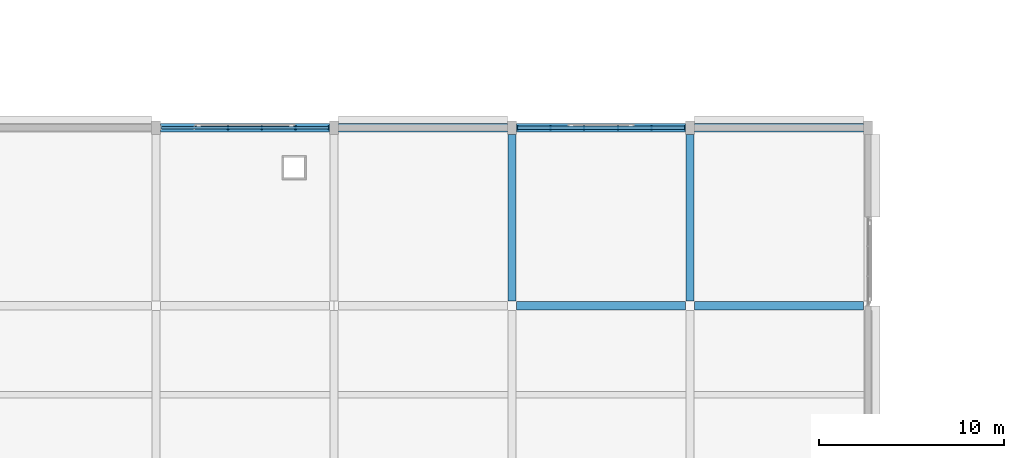
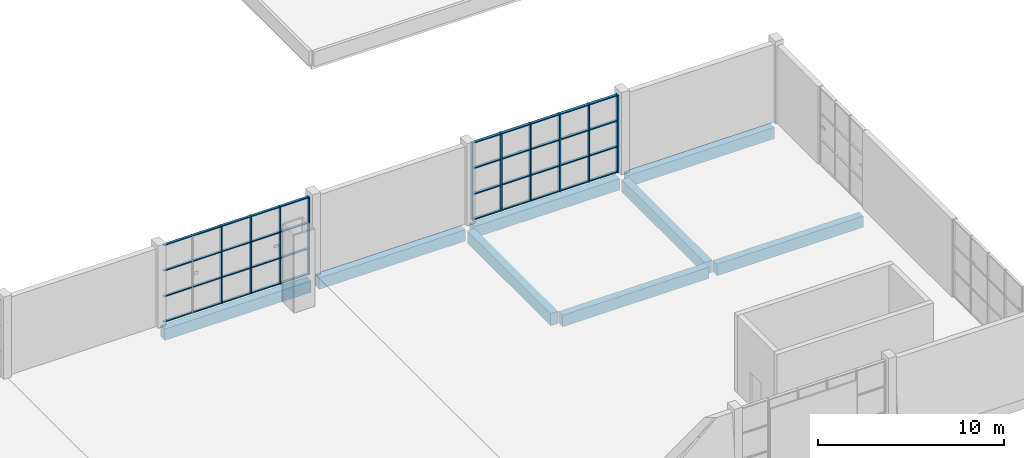
# One storey, part 8 of 72: 18 members, 8 beams, 2 elements without a shape of their own.
"""IFC4 building model written with IfcOpenShell, lengths in metres."""

import ifcopenshell
import ifcopenshell.guid

model = None  # the IFC model being written
_history = None  # IfcOwnerHistory: only IFC2X3 demands one
_inside = {}  # id of a spatial element -> (the spatial element, [elements in it])
_under = {}  # id of a project, library or spatial element -> (it, [spatial elements below it])
_declared = {}  # id of a project -> (the project, [libraries it declares])
_typed = {}  # id of a type object -> (the type object, [elements of that type])
_made_of = {}  # id of a material, layer set ... -> (it, [elements and type objects made of it])


def new_model(schema):
    """Start an empty IFC model of exactly this schema.

    Asked for "IFC4X3", IfcOpenShell would pick the latest addendum, in which some entities
    have other attributes; the version numbers below select the first issue.
    IFC2X3 requires an IfcOwnerHistory on every rooted entity: one is made here for all.
    """
    global model, _history
    if schema == "IFC4X3":
        model = ifcopenshell.file(schema_version=(4, 3, 0, 0))
    else:
        model = ifcopenshell.file(schema=schema)
    _inside.clear()
    _under.clear()
    _declared.clear()
    _typed.clear()
    _made_of.clear()
    _history = None
    if model.schema == "IFC2X3":
        org = make("IfcOrganization", Name="unknown")
        user = make(
            "IfcPersonAndOrganization",
            ThePerson=make("IfcPerson", FamilyName="unknown"),
            TheOrganization=org,
        )
        app = make(
            "IfcApplication",
            ApplicationDeveloper=org,
            Version="unknown",
            ApplicationFullName="unknown",
            ApplicationIdentifier="unknown",
        )
        _history = make(
            "IfcOwnerHistory",
            OwningUser=user,
            OwningApplication=app,
            ChangeAction="ADDED",
            CreationDate=0,
        )
    return model


def make(cls, **values):
    """One entity of the class cls with the attributes given. An attribute that is None is left unset."""
    return model.create_entity(
        cls, **{name: value for name, value in values.items() if value is not None}
    )


def rooted(cls, **values):
    """An entity with a GlobalId (a new one), such as an element, a storey or a relation."""
    return make(cls, GlobalId=ifcopenshell.guid.new(), OwnerHistory=_history, **values)


def si_unit(unit_type, name, prefix=None):
    """IfcSIUnit, for example si_unit("LENGTHUNIT", "METRE", prefix="MILLI")."""
    return make("IfcSIUnit", UnitType=unit_type, Prefix=prefix, Name=name)


def assignment(units):
    """IfcUnitAssignment: the units of a project."""
    return None if units is None else make("IfcUnitAssignment", Units=units)


def point(xyz):
    """IfcCartesianPoint."""
    return None if xyz is None else make("IfcCartesianPoint", Coordinates=xyz)


def direction(xyz):
    """IfcDirection."""
    return None if xyz is None else make("IfcDirection", DirectionRatios=xyz)


def frame(location, z_axis=None, x_axis=None):
    """IfcAxis2Placement3D, a coordinate frame: its origin and axes. An axis left out is left unset."""
    return make(
        "IfcAxis2Placement3D",
        Location=point(location),
        Axis=direction(z_axis),
        RefDirection=direction(x_axis),
    )


def frame_2d(location, x_axis=None):
    """IfcAxis2Placement2D, a coordinate frame in the plane: its origin and x axis."""
    return make(
        "IfcAxis2Placement2D", Location=point(location), RefDirection=direction(x_axis)
    )


def origin():
    """The frame at (0, 0, 0) with its axes left unset."""
    return frame((0.0, 0.0, 0.0))


def origin_2d():
    """The frame at (0, 0) in the plane with its x axis left unset."""
    return frame_2d((0.0, 0.0))


def place(relative_to, where):
    """IfcLocalPlacement: puts the frame where relative to a parent placement (None: the world)."""
    return make(
        "IfcLocalPlacement", PlacementRelTo=relative_to, RelativePlacement=where
    )


def context(
    kind, dimensions, precision=None, world=None, true_north=None, identifier=None
):
    """IfcGeometricRepresentationContext, for example the 3D "Model" context."""
    return make(
        "IfcGeometricRepresentationContext",
        ContextIdentifier=identifier,
        ContextType=kind,
        CoordinateSpaceDimension=dimensions,
        Precision=precision,
        WorldCoordinateSystem=world,
        TrueNorth=true_north,
    )


def subcontext(parent, identifier, kind, view, scale=None):
    """IfcGeometricRepresentationSubContext, for example "Body" below "Model"."""
    return make(
        "IfcGeometricRepresentationSubContext",
        ContextIdentifier=identifier,
        ContextType=kind,
        ParentContext=parent,
        TargetScale=scale,
        TargetView=view,
    )


def project(units=None, contexts=None):
    """IfcProject with its units and contexts."""
    return rooted(
        "IfcProject",
        Name="project",
        RepresentationContexts=contexts,
        UnitsInContext=assignment(units),
    )


def spatial(cls, under=None, at=None, **own):
    """A site, building, storey or space (cls), placed at a placement, below another one or the project."""
    s = rooted(cls, ObjectPlacement=at, **own)
    if under is not None:
        _under.setdefault(under.id(), (under, []))[1].append(s)
    return s


def profile(cls, at=None, kind="AREA", **sizes):
    """A parametric profile (cls). Its sizes go by their IFC names, for example OverallWidth=200.0."""
    return make(cls, ProfileType=kind, Position=at, **sizes)


def rectangle(**sizes):
    """IfcRectangleProfileDef."""
    return profile("IfcRectangleProfileDef", **sizes)


def extrude(swept, where, along, depth):
    """IfcExtrudedAreaSolid: the profile swept, set in the frame where, extruded along a direction by depth."""
    return make(
        "IfcExtrudedAreaSolid",
        SweptArea=swept,
        Position=where,
        ExtrudedDirection=direction(along),
        Depth=depth,
    )


def shape(context_of_items, identifier, shape_type, items):
    """IfcShapeRepresentation: the items that make up one representation, for example the "Body"."""
    return make(
        "IfcShapeRepresentation",
        ContextOfItems=context_of_items,
        RepresentationIdentifier=identifier,
        RepresentationType=shape_type,
        Items=items,
    )


def material(Name=None, Category=None):
    """IfcMaterial."""
    return make("IfcMaterial", Name=Name, Category=Category)


def material_profile(
    of_material, cross_section, Name=None, Category=None, Priority=None
):
    """IfcMaterialProfile: a cross section and its material."""
    return make(
        "IfcMaterialProfile",
        Name=Name,
        Material=of_material,
        Profile=cross_section,
        Priority=Priority,
        Category=Category,
    )


def profile_set(profiles, Name=None, composite=None):
    """IfcMaterialProfileSet."""
    return make(
        "IfcMaterialProfileSet",
        Name=Name,
        MaterialProfiles=profiles,
        CompositeProfile=composite,
    )


def made_of(thing, what):
    """Note that an element or type object is made of a material, layer set ...; save() writes the relation."""
    if what is not None:
        _made_of.setdefault(what.id(), (what, []))[1].append(thing)
    return thing


def type_object(cls, material=None, **own):
    """A type object (cls), such as IfcWallType, which elements share."""
    return made_of(rooted(cls, **own), material)


def element(
    cls,
    number,
    at=None,
    inside=None,
    cuts=None,
    type_object=None,
    material=None,
    context=None,
    identifier="Body",
    shape_type=None,
    held_by="IfcProductDefinitionShape",
    body=None,
    shapes=None,
    **own,
):
    """One element of the class cls, such as IfcWall. Its Tag is "e" and its number.

    at: its placement. inside: the storey or other place that contains it. cuts: it is an
    opening in that element (IfcRelVoidsElement). A single representation is given by context,
    identifier, shape_type and body (its items); several are given by shapes. held_by: the class
    of the entity that holds the representations. save() writes the other relations.
    """
    e = rooted(cls, Tag="e%d" % number, ObjectPlacement=at, **own)
    if body is not None:
        shapes = [shape(context, identifier, shape_type, body)]
    if shapes is not None:
        e.Representation = make(held_by, Representations=shapes)
    if inside is not None:
        _inside.setdefault(inside.id(), (inside, []))[1].append(e)
    if cuts is not None:
        rooted(
            "IfcRelVoidsElement", RelatingBuildingElement=cuts, RelatedOpeningElement=e
        )
    if type_object is not None:
        _typed.setdefault(type_object.id(), (type_object, []))[1].append(e)
    return made_of(e, material)


def aggregate(whole, parts):
    """IfcRelAggregates: a whole, such as a stair, and the parts it consists of."""
    return rooted("IfcRelAggregates", RelatingObject=whole, RelatedObjects=parts)


def save(model, path):
    """Write the relations noted so far, then the file.

    IfcRelAggregates (storeys below a building ...), IfcRelContainedInSpatialStructure (elements
    in a storey), IfcRelDefinesByType, IfcRelAssociatesMaterial and IfcRelDeclares: one each for
    every whole, place, type object, material and project.
    """
    for whole, parts in _under.values():
        aggregate(whole, parts)
    for where, things in _inside.values():
        rooted(
            "IfcRelContainedInSpatialStructure",
            RelatedElements=things,
            RelatingStructure=where,
        )
    for kind, things in _typed.values():
        rooted("IfcRelDefinesByType", RelatedObjects=things, RelatingType=kind)
    for what, things in _made_of.values():
        rooted("IfcRelAssociatesMaterial", RelatedObjects=things, RelatingMaterial=what)
    for by, libraries in _declared.values():
        rooted("IfcRelDeclares", RelatingContext=by, RelatedDefinitions=libraries)
    model.write(path)


model = new_model("IFC4")

# Units and contexts
model_context = context("Model", 3, precision=1e-05, world=origin(), true_north=direction((0.0, 1.0)))
body_context = subcontext(model_context, "Body", "Model", "MODEL_VIEW")
ifc_project = project(units=[si_unit("LENGTHUNIT", "METRE"), si_unit("AREAUNIT", "SQUARE_METRE"), si_unit("VOLUMEUNIT", "CUBIC_METRE"), si_unit("PLANEANGLEUNIT", "RADIAN"), si_unit("MASSUNIT", "GRAM", prefix="KILO")], contexts=[model_context])

# Site, building, storey
site_placement = place(None, origin())
site = spatial("IfcSite", under=ifc_project, at=site_placement, CompositionType="ELEMENT")
building_placement = place(site_placement, origin())
building = spatial("IfcBuilding", under=site, at=building_placement, Name="Shalvenor Court Art Gallery", CompositionType="ELEMENT")
storey_placement = place(building_placement, frame((0.0, 0.0, 11.39990234375)))
storey = spatial("IfcBuildingStorey", under=building, at=storey_placement, Name="L02", CompositionType="ELEMENT", Elevation=11.39990234375)

# Beams
ifc_material_1 = material(Name="Concrete C40/50", Category="concrete")
ifc_material_profile_1 = material_profile(ifc_material_1, rectangle(XDim=0.449951171875, YDim=0.800048828125, at=origin_2d()), Name="RC 450x800")
ifc_profile_set_1 = profile_set([ifc_material_profile_1], Name="Concrete C40/50")
beam_type_1 = type_object("IfcBeamType", Name="B-03", PredefinedType="BEAM", material=ifc_profile_set_1)
for number, where, z_axis, x_axis, name in (
    (1, (48.0, 19.449951171875, -0.719970703125), (0.0, 1.0, 0.0), (-1.0, 0.0, 0.0), "L02 Girder BM-L02-B-03-0725"),
    (2, (57.60009765625, 19.449951171875, -0.719970703125), (0.0, 1.0, 0.0), (-1.0, 0.0, 0.0), "L02 Girder BM-L02-B-03-0727"),
):
    element("IfcBeam", number, at=place(storey_placement, frame(where, z_axis=z_axis, x_axis=x_axis)), inside=storey, type_object=beam_type_1, Name=name, PredefinedType="BEAM", context=body_context, shape_type="SweptSolid", body=[
        extrude(rectangle(XDim=0.449951171875, YDim=0.800048828125, at=origin_2d()), origin(), (0.0, 0.0, 1.0), 8.97509765625),
    ])
ifc_material_2 = material(Name="Concrete C40/50", Category="concrete")
ifc_material_profile_2 = material_profile(ifc_material_2, rectangle(XDim=0.449951171875, YDim=0.75, at=origin_2d()), Name="RC 450x750")
ifc_profile_set_2 = profile_set([ifc_material_profile_2], Name="Concrete C40/50")
beam_type_2 = type_object("IfcBeamType", Name="B-04", PredefinedType="BEAM", material=ifc_profile_set_2)
beam_1_placement = place(storey_placement, frame((48.25, 19.199951171875, -0.69482421875), z_axis=(1.0, 0.0, 0.0), x_axis=(0.0, 1.0, 0.0)))
element("IfcBeam", 3, at=beam_1_placement, inside=storey, type_object=beam_type_2, Name="L02 Girder BM-L02-B-04-0820", PredefinedType="BEAM", context=body_context, shape_type="SweptSolid", body=[
    extrude(rectangle(XDim=0.449951171875, YDim=0.75, at=origin_2d()), origin(), (0.0, 0.0, 1.0), 9.10009765625),
])
for number, where, z_axis, x_axis, name in (
    (4, (57.85009765625, 19.199951171875, -0.69482421875), (1.0, 0.0, 0.0), (0.0, 1.0, 0.0), "L02 Girder BM-L02-B-04-0821"),
    (5, (29.050048828125, 28.800048828125, -0.69482421875), (1.0, 0.0, 0.0), (0.0, 1.0, 0.0), "L02 Girder BM-L02-B-04-0831"),
):
    element("IfcBeam", number, at=place(storey_placement, frame(where, z_axis=z_axis, x_axis=x_axis)), inside=storey, type_object=beam_type_2, Name=name, PredefinedType="BEAM", context=body_context, shape_type="SweptSolid", body=[
        extrude(rectangle(XDim=0.449951171875, YDim=0.75, at=origin_2d()), origin(), (0.0, 0.0, 1.0), 9.099853515625),
    ])
for number, where, z_axis, x_axis, name in (
    (6, (38.64990234375, 28.800048828125, -0.69482421875), (1.0, 0.0, 0.0), (0.0, 1.0, 0.0), "L02 Girder BM-L02-B-04-0832"),
    (7, (48.25, 28.800048828125, -0.69482421875), (1.0, 0.0, 0.0), (0.0, 1.0, 0.0), "L02 Girder BM-L02-B-04-0833"),
):
    element("IfcBeam", number, at=place(storey_placement, frame(where, z_axis=z_axis, x_axis=x_axis)), inside=storey, type_object=beam_type_2, Name=name, PredefinedType="BEAM", context=body_context, shape_type="SweptSolid", body=[
        extrude(rectangle(XDim=0.449951171875, YDim=0.75, at=origin_2d()), origin(), (0.0, 0.0, 1.0), 9.10009765625),
    ])
beam_2_placement = place(storey_placement, frame((57.85009765625, 28.800048828125, -0.69482421875), z_axis=(1.0, 0.0, 0.0), x_axis=(0.0, 1.0, 0.0)))
element("IfcBeam", 8, at=beam_2_placement, inside=storey, type_object=beam_type_2, Name="L02 Girder BM-L02-B-04-0834", PredefinedType="BEAM", context=body_context, shape_type="SweptSolid", body=[
    extrude(rectangle(XDim=0.449951171875, YDim=0.75, at=origin_2d()), origin(), (0.0, 0.0, 1.0), 9.099853515625),
])

# Curtain wall, members
ifc_material_3 = material(Name="Anodised aluminium and low-iron glass curtain wall", Category="aluminium")
curtain_wall_type_1 = type_object("IfcCurtainWallType", Name="CW-5x3-91-51-211", PredefinedType="USERDEFINED", material=ifc_material_3)
curtain_wall_1_placement = place(storey_placement, origin())
curtain_wall_1 = element("IfcCurtainWall", 9, at=curtain_wall_1_placement, inside=storey, type_object=curtain_wall_type_1, Name="L02 V4 Curtain Wall CW-L02-141", ObjectType="CURTAIN WALL", PredefinedType="USERDEFINED")
ifc_material_4 = material(Name="Anodised aluminium mullion", Category="aluminium")
ifc_material_profile_3 = material_profile(ifc_material_4, rectangle(XDim=0.070068359375, YDim=0.199951171875, at=origin_2d()), Name="CWM-02")
ifc_profile_set_3 = profile_set([ifc_material_profile_3], Name="Anodised aluminium mullion")
member_type_1 = type_object("IfcMemberType", Name="CWM-02", PredefinedType="MULLION", material=ifc_profile_set_3)
member_1_placement = place(storey_placement, frame((32.68994140625, 28.800048828125, 0.0), z_axis=(0.0, 0.0, 1.0), x_axis=(1.0, 0.0, 0.0)))
member_1 = element("IfcMember", 10, at=member_1_placement, type_object=member_type_1, Name="CW-5x3-91-51-211 mullion 3", PredefinedType="MULLION", context=body_context, shape_type="SweptSolid", body=[
    extrude(rectangle(XDim=0.070068359375, YDim=0.199951171875, at=origin_2d()), origin(), (0.0, 0.0, 1.0), 5.10009765625),
])
member_2_placement = place(storey_placement, frame((34.510009765625, 28.800048828125, 0.0), z_axis=(0.0, 0.0, 1.0), x_axis=(1.0, 0.0, 0.0)))
member_2 = element("IfcMember", 11, at=member_2_placement, type_object=member_type_1, Name="CW-5x3-91-51-211 mullion 4", PredefinedType="MULLION", context=body_context, shape_type="SweptSolid", body=[
    extrude(rectangle(XDim=0.070068359375, YDim=0.199951171875, at=origin_2d()), origin(), (0.0, 0.0, 1.0), 5.10009765625),
])
member_3_placement = place(storey_placement, frame((36.330078125, 28.800048828125, 0.0), z_axis=(0.0, 0.0, 1.0), x_axis=(1.0, 0.0, 0.0)))
member_3 = element("IfcMember", 12, at=member_3_placement, type_object=member_type_1, Name="CW-5x3-91-51-211 mullion 5", PredefinedType="MULLION", context=body_context, shape_type="SweptSolid", body=[
    extrude(rectangle(XDim=0.070068359375, YDim=0.199951171875, at=origin_2d()), origin(), (0.0, 0.0, 1.0), 5.10009765625),
])
member_4_placement = place(storey_placement, frame((38.114990234375, 28.800048828125, 0.0), z_axis=(0.0, 0.0, 1.0), x_axis=(1.0, 0.0, 0.0)))
member_4 = element("IfcMember", 13, at=member_4_placement, type_object=member_type_1, Name="CW-5x3-91-51-211 mullion 6", PredefinedType="MULLION", context=body_context, shape_type="SweptSolid", body=[
    extrude(rectangle(XDim=0.070068359375, YDim=0.199951171875, at=origin_2d()), origin(), (0.0, 0.0, 1.0), 5.10009765625),
])

ifc_material_5 = material(Name="Anodised aluminium and low-iron glass curtain wall", Category="aluminium")
curtain_wall_type_2 = type_object("IfcCurtainWallType", Name="CW-5x3-91-51-421", PredefinedType="USERDEFINED", material=ifc_material_5)
curtain_wall_2_placement = place(storey_placement, origin())
curtain_wall_2 = element("IfcCurtainWall", 14, at=curtain_wall_2_placement, inside=storey, type_object=curtain_wall_type_2, Name="L02 V4 Curtain Wall CW-L02-142", ObjectType="CURTAIN WALL", PredefinedType="USERDEFINED")
ifc_material_6 = material(Name="Anodised aluminium mullion", Category="aluminium")
ifc_material_profile_4 = material_profile(ifc_material_6, rectangle(XDim=0.074951171875, YDim=0.219970703125, at=origin_2d()), Name="CWM-04")
ifc_profile_set_4 = profile_set([ifc_material_profile_4], Name="Anodised aluminium mullion")
member_type_2 = type_object("IfcMemberType", Name="CWM-04", PredefinedType="MULLION", material=ifc_profile_set_4)
member_5_placement = place(storey_placement, frame((48.28759765625, 28.800048828125, 0.0), z_axis=(0.0, 0.0, 1.0), x_axis=(1.0, 0.0, 0.0)))
member_5 = element("IfcMember", 15, at=member_5_placement, type_object=member_type_2, Name="CW-5x3-91-51-421 mullion 1", PredefinedType="MULLION", context=body_context, shape_type="SweptSolid", body=[
    extrude(rectangle(XDim=0.074951171875, YDim=0.219970703125, at=origin_2d()), origin(), (0.0, 0.0, 1.0), 5.10009765625),
])
member_6_placement = place(storey_placement, frame((50.070068359375, 28.800048828125, 0.0), z_axis=(0.0, 0.0, 1.0), x_axis=(1.0, 0.0, 0.0)))
member_6 = element("IfcMember", 16, at=member_6_placement, type_object=member_type_2, Name="CW-5x3-91-51-421 mullion 2", PredefinedType="MULLION", context=body_context, shape_type="SweptSolid", body=[
    extrude(rectangle(XDim=0.074951171875, YDim=0.219970703125, at=origin_2d()), origin(), (0.0, 0.0, 1.0), 5.10009765625),
])
member_7_placement = place(storey_placement, frame((51.889892578125, 28.800048828125, 0.0), z_axis=(0.0, 0.0, 1.0), x_axis=(1.0, 0.0, 0.0)))
member_7 = element("IfcMember", 17, at=member_7_placement, type_object=member_type_2, Name="CW-5x3-91-51-421 mullion 3", PredefinedType="MULLION", context=body_context, shape_type="SweptSolid", body=[
    extrude(rectangle(XDim=0.074951171875, YDim=0.219970703125, at=origin_2d()), origin(), (0.0, 0.0, 1.0), 5.10009765625),
])
member_8_placement = place(storey_placement, frame((53.7099609375, 28.800048828125, 0.0), z_axis=(0.0, 0.0, 1.0), x_axis=(1.0, 0.0, 0.0)))
member_8 = element("IfcMember", 18, at=member_8_placement, type_object=member_type_2, Name="CW-5x3-91-51-421 mullion 4", PredefinedType="MULLION", context=body_context, shape_type="SweptSolid", body=[
    extrude(rectangle(XDim=0.074951171875, YDim=0.219970703125, at=origin_2d()), origin(), (0.0, 0.0, 1.0), 5.10009765625),
])
member_9_placement = place(storey_placement, frame((55.530029296875, 28.800048828125, 0.0), z_axis=(0.0, 0.0, 1.0), x_axis=(1.0, 0.0, 0.0)))
member_9 = element("IfcMember", 19, at=member_9_placement, type_object=member_type_2, Name="CW-5x3-91-51-421 mullion 5", PredefinedType="MULLION", context=body_context, shape_type="SweptSolid", body=[
    extrude(rectangle(XDim=0.074951171875, YDim=0.219970703125, at=origin_2d()), origin(), (0.0, 0.0, 1.0), 5.10009765625),
])
member_10_placement = place(storey_placement, frame((57.3125, 28.800048828125, 0.0), z_axis=(0.0, 0.0, 1.0), x_axis=(1.0, 0.0, 0.0)))
member_10 = element("IfcMember", 20, at=member_10_placement, type_object=member_type_2, Name="CW-5x3-91-51-421 mullion 6", PredefinedType="MULLION", context=body_context, shape_type="SweptSolid", body=[
    extrude(rectangle(XDim=0.074951171875, YDim=0.219970703125, at=origin_2d()), origin(), (0.0, 0.0, 1.0), 5.10009765625),
])

# Member
ifc_material_7 = material(Name="Anodised aluminium transom", Category="aluminium")
ifc_material_profile_5 = material_profile(ifc_material_7, rectangle(XDim=0.14990234375, YDim=0.06005859375, at=origin_2d()), Name="CWT-01")
ifc_profile_set_5 = profile_set([ifc_material_profile_5], Name="Anodised aluminium transom")
member_type_3 = type_object("IfcMemberType", Name="CWT-01", PredefinedType="USERDEFINED", material=ifc_profile_set_5)
member_11_placement = place(storey_placement, frame((29.0849609375, 28.800048828125, 0.030029296875), z_axis=(1.0, 0.0, 0.0), x_axis=(0.0, 1.0, 0.0)))
member_11 = element("IfcMember", 21, at=member_11_placement, type_object=member_type_3, Name="CW-5x3-91-51-211 transom 1", ObjectType="TRANSOM", PredefinedType="USERDEFINED", context=body_context, shape_type="SweptSolid", body=[
    extrude(rectangle(XDim=0.14990234375, YDim=0.06005859375, at=origin_2d()), origin(), (0.0, 0.0, 1.0), 9.030029296875),
])

member_12_placement = place(storey_placement, frame((29.0849609375, 28.800048828125, 1.7001953125), z_axis=(1.0, 0.0, 0.0), x_axis=(0.0, 1.0, 0.0)))
member_12 = element("IfcMember", 22, at=member_12_placement, type_object=member_type_3, Name="CW-5x3-91-51-211 transom 2", ObjectType="TRANSOM", PredefinedType="USERDEFINED", context=body_context, shape_type="SweptSolid", body=[
    extrude(rectangle(XDim=0.14990234375, YDim=0.06005859375, at=origin_2d()), origin(), (0.0, 0.0, 1.0), 9.030029296875),
])

member_13_placement = place(storey_placement, frame((29.0849609375, 28.800048828125, 3.400146484375), z_axis=(1.0, 0.0, 0.0), x_axis=(0.0, 1.0, 0.0)))
member_13 = element("IfcMember", 23, at=member_13_placement, type_object=member_type_3, Name="CW-5x3-91-51-211 transom 3", ObjectType="TRANSOM", PredefinedType="USERDEFINED", context=body_context, shape_type="SweptSolid", body=[
    extrude(rectangle(XDim=0.14990234375, YDim=0.06005859375, at=origin_2d()), origin(), (0.0, 0.0, 1.0), 9.030029296875),
])

member_14_placement = place(storey_placement, frame((29.0849609375, 28.800048828125, 5.070068359375), z_axis=(1.0, 0.0, 0.0), x_axis=(0.0, 1.0, 0.0)))
member_14 = element("IfcMember", 24, at=member_14_placement, type_object=member_type_3, Name="CW-5x3-91-51-211 transom 4", ObjectType="TRANSOM", PredefinedType="USERDEFINED", context=body_context, shape_type="SweptSolid", body=[
    extrude(rectangle(XDim=0.14990234375, YDim=0.06005859375, at=origin_2d()), origin(), (0.0, 0.0, 1.0), 9.030029296875),
])

aggregate(curtain_wall_1, [member_1, member_2, member_3, member_4, member_11, member_12, member_13, member_14])

ifc_material_8 = material(Name="Anodised aluminium transom", Category="aluminium")
ifc_material_profile_6 = material_profile(ifc_material_8, rectangle(XDim=0.169921875, YDim=0.06494140625, at=origin_2d()), Name="CWT-02")
ifc_profile_set_6 = profile_set([ifc_material_profile_6], Name="Anodised aluminium transom")
member_type_4 = type_object("IfcMemberType", Name="CWT-02", PredefinedType="USERDEFINED", material=ifc_profile_set_6)
member_15_placement = place(storey_placement, frame((48.28759765625, 28.800048828125, 0.03271484375), z_axis=(1.0, 0.0, 0.0), x_axis=(0.0, 1.0, 0.0)))
member_15 = element("IfcMember", 25, at=member_15_placement, type_object=member_type_4, Name="CW-5x3-91-51-421 transom 1", ObjectType="TRANSOM", PredefinedType="USERDEFINED", context=body_context, shape_type="SweptSolid", body=[
    extrude(rectangle(XDim=0.169921875, YDim=0.06494140625, at=origin_2d()), origin(), (0.0, 0.0, 1.0), 9.02490234375),
])

member_16_placement = place(storey_placement, frame((48.28759765625, 28.800048828125, 1.7001953125), z_axis=(1.0, 0.0, 0.0), x_axis=(0.0, 1.0, 0.0)))
member_16 = element("IfcMember", 26, at=member_16_placement, type_object=member_type_4, Name="CW-5x3-91-51-421 transom 2", ObjectType="TRANSOM", PredefinedType="USERDEFINED", context=body_context, shape_type="SweptSolid", body=[
    extrude(rectangle(XDim=0.169921875, YDim=0.06494140625, at=origin_2d()), origin(), (0.0, 0.0, 1.0), 9.02490234375),
])

member_17_placement = place(storey_placement, frame((48.28759765625, 28.800048828125, 3.400146484375), z_axis=(1.0, 0.0, 0.0), x_axis=(0.0, 1.0, 0.0)))
member_17 = element("IfcMember", 27, at=member_17_placement, type_object=member_type_4, Name="CW-5x3-91-51-421 transom 3", ObjectType="TRANSOM", PredefinedType="USERDEFINED", context=body_context, shape_type="SweptSolid", body=[
    extrude(rectangle(XDim=0.169921875, YDim=0.06494140625, at=origin_2d()), origin(), (0.0, 0.0, 1.0), 9.02490234375),
])

member_18_placement = place(storey_placement, frame((48.28759765625, 28.800048828125, 5.067626953125), z_axis=(1.0, 0.0, 0.0), x_axis=(0.0, 1.0, 0.0)))
member_18 = element("IfcMember", 28, at=member_18_placement, type_object=member_type_4, Name="CW-5x3-91-51-421 transom 4", ObjectType="TRANSOM", PredefinedType="USERDEFINED", context=body_context, shape_type="SweptSolid", body=[
    extrude(rectangle(XDim=0.169921875, YDim=0.06494140625, at=origin_2d()), origin(), (0.0, 0.0, 1.0), 9.02490234375),
])

aggregate(curtain_wall_2, [member_5, member_6, member_7, member_8, member_9, member_10, member_15, member_16, member_17, member_18])

save(model, "model.ifc")
